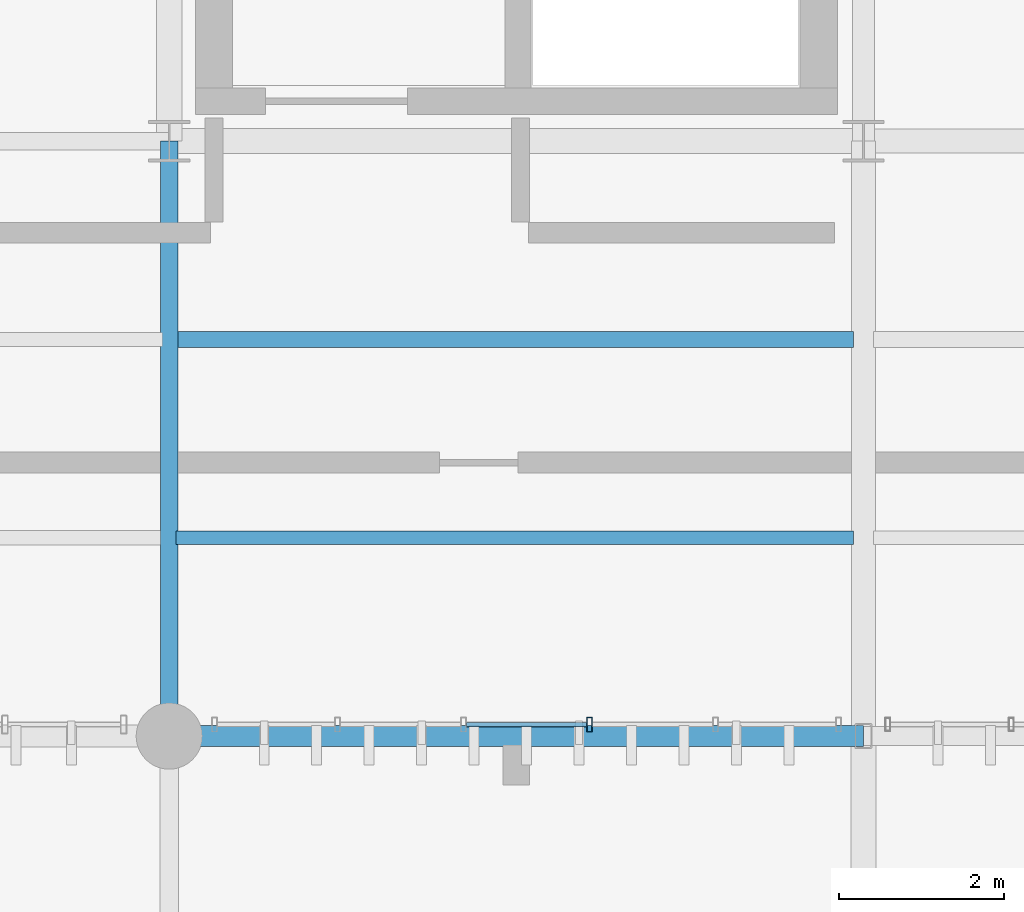
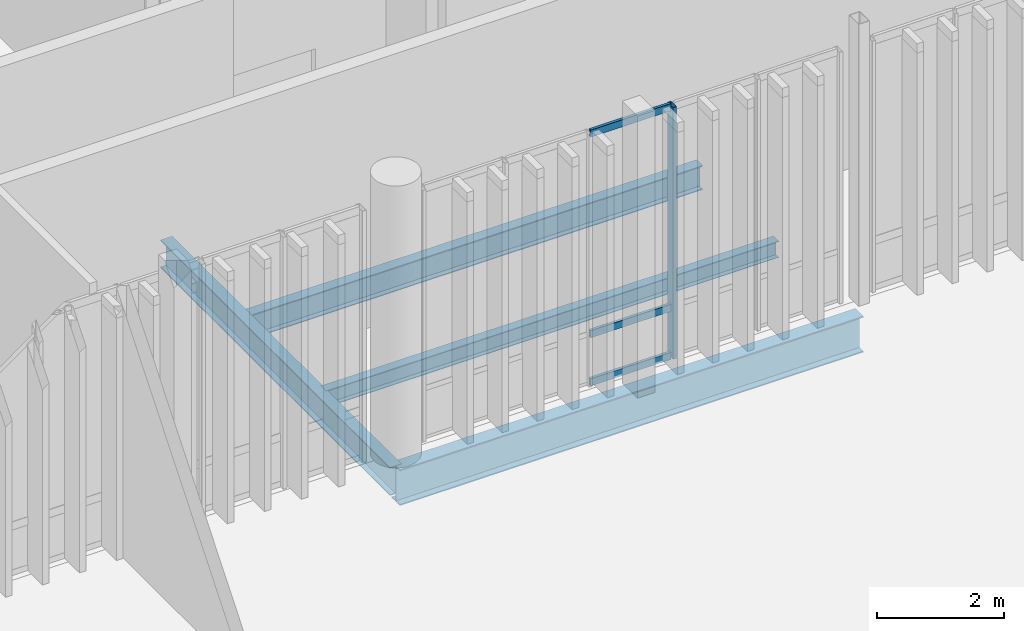
# One storey, part 45 of 112: 4 beams, 4 members, 1 element without a shape of its own.
"""IFC4 building model written with IfcOpenShell, lengths in metres."""

from ifc_helpers import new_model, si_unit, direction, frame, origin_with_axes, origin_2d_with_axis, place, context, subcontext, project, spatial, hollow_rectangle, i_section, extrude, material, material_profile, profile_set, type_object, element, aggregate, save


model = new_model("IFC4")

# Units and contexts
model_context = context("Model", 3, precision=1e-05, world=origin_with_axes(), true_north=direction((0.0, 1.0)))
body_context = subcontext(model_context, "Body", "Model", "MODEL_VIEW")
ifc_project = project(units=[si_unit("LENGTHUNIT", "METRE"), si_unit("AREAUNIT", "SQUARE_METRE"), si_unit("VOLUMEUNIT", "CUBIC_METRE"), si_unit("PLANEANGLEUNIT", "RADIAN"), si_unit("MASSUNIT", "GRAM", prefix="KILO"), si_unit("THERMODYNAMICTEMPERATUREUNIT", "KELVIN")], contexts=[model_context])

# Site, building, storey
site_placement = place(None, origin_with_axes())
site = spatial("IfcSite", under=ifc_project, at=site_placement, CompositionType="ELEMENT")
building_placement = place(site_placement, origin_with_axes())
building = spatial("IfcBuilding", under=site, at=building_placement, Name="Montbau Bow Law Courts", CompositionType="ELEMENT")
storey_placement = place(building_placement, origin_with_axes())
storey = spatial("IfcBuildingStorey", under=building, at=storey_placement, Name="L00", CompositionType="ELEMENT", Elevation=0.0)

# Beams
ifc_material_1 = material(Name="Steel CSA G40.21 Grade 350W (350 MPa)", Category="steel")
ifc_material_profile_1 = material_profile(ifc_material_1, i_section(OverallWidth=0.254, OverallDepth=0.688, WebThickness=0.0131, FlangeThickness=0.0211, at=origin_2d_with_axis()), Name="W690X152", Category="Main", Priority=0)
ifc_profile_set_1 = profile_set([ifc_material_profile_1], Name="Steel CSA G40.21 Grade 350W (350 MPa)")
beam_type_1 = type_object("IfcBeamType", Name="B-FLR-04", PredefinedType="BEAM", material=ifc_profile_set_1)
beam_1_placement = place(None, frame((80.4, 39.0, -0.584), z_axis=(1.0, 0.0, 0.0), x_axis=(0.0, 1.0, 0.0)))
element("IfcBeam", 1, at=beam_1_placement, inside=storey, type_object=beam_type_1, Name="BM-L00-S0192:bm2_0195", PredefinedType="BEAM", context=body_context, shape_type="SweptSolid", body=[
    extrude(i_section(OverallWidth=0.254, OverallDepth=0.688, WebThickness=0.0131, FlangeThickness=0.0211, at=origin_2d_with_axis()), origin_with_axes(), (0.0, 0.0, 1.0), 8.4),
])
ifc_material_profile_2 = material_profile(ifc_material_1, i_section(OverallWidth=0.21, OverallDepth=0.537, WebThickness=0.0109, FlangeThickness=0.0174, at=origin_2d_with_axis()), Name="W530X101", Category="Main", Priority=0)
ifc_profile_set_2 = profile_set([ifc_material_profile_2], Name="Steel CSA G40.21 Grade 350W (350 MPa)")
beam_type_2 = type_object("IfcBeamType", Name="B-FLR-06", PredefinedType="BEAM", material=ifc_profile_set_2)
beam_2_placement = place(None, frame((80.4, 39.0, -0.508), z_axis=(0.0, 1.0, 0.0), x_axis=(-1.0, 0.0, 0.0)))
element("IfcBeam", 2, at=beam_2_placement, inside=storey, type_object=beam_type_2, Name="BM-L00-S0297:bm2_0300", PredefinedType="BEAM", context=body_context, shape_type="SweptSolid", body=[
    extrude(i_section(OverallWidth=0.21, OverallDepth=0.537, WebThickness=0.0109, FlangeThickness=0.0174, at=origin_2d_with_axis()), origin_with_axes(), (0.0, 0.0, 1.0), 7.2),
])
ifc_material_profile_3 = material_profile(ifc_material_1, i_section(OverallWidth=0.191, OverallDepth=0.46, WebThickness=0.0099, FlangeThickness=0.016, at=origin_2d_with_axis()), Name="W460X82", Category="Main", Priority=0)
ifc_profile_set_3 = profile_set([ifc_material_profile_3], Name="Steel CSA G40.21 Grade 350W (350 MPa)")
beam_type_3 = type_object("IfcBeamType", Name="B-JST-01", PredefinedType="JOIST", material=ifc_profile_set_3)
beam_3_placement = place(None, frame((80.481, 43.8, -0.47), z_axis=(1.0, 0.0, 0.0), x_axis=(0.0, 1.0, 0.0)))
element("IfcBeam", 3, at=beam_3_placement, inside=storey, type_object=beam_type_3, Name="JST-L00-S0088:jst2_0088", PredefinedType="JOIST", context=body_context, shape_type="SweptSolid", body=[
    extrude(i_section(OverallWidth=0.191, OverallDepth=0.46, WebThickness=0.0099, FlangeThickness=0.016, at=origin_2d_with_axis()), origin_with_axes(), (0.0, 0.0, 1.0), 8.196),
])
ifc_material_profile_4 = material_profile(ifc_material_1, i_section(OverallWidth=0.166, OverallDepth=0.313, WebThickness=0.0066, FlangeThickness=0.0112, at=origin_2d_with_axis()), Name="W310X45", Category="Main", Priority=0)
ifc_profile_set_4 = profile_set([ifc_material_profile_4], Name="Steel CSA G40.21 Grade 350W (350 MPa)")
beam_type_4 = type_object("IfcBeamType", Name="B-JST-04", PredefinedType="JOIST", material=ifc_profile_set_4)
beam_4_placement = place(None, frame((80.481, 41.4, -0.396), z_axis=(1.0, 0.0, 0.0), x_axis=(0.0, 1.0, 0.0)))
element("IfcBeam", 4, at=beam_4_placement, inside=storey, type_object=beam_type_4, Name="JST-L00-S0087:jst2_0087", PredefinedType="JOIST", context=body_context, shape_type="SweptSolid", body=[
    extrude(i_section(OverallWidth=0.166, OverallDepth=0.313, WebThickness=0.0066, FlangeThickness=0.0112, at=origin_2d_with_axis()), origin_with_axes(), (0.0, 0.0, 1.0), 8.196),
])

# Curtain wall, members
ifc_material_2 = material(Name="Thermally Broken Extruded Aluminium AA 6063-T6", Category="aluminium")
curtain_wall_type = type_object("IfcCurtainWallType", Name="CW-CRM-01", PredefinedType="NOTDEFINED", material=ifc_material_2)
curtain_wall_placement = place(None, frame((80.915, 39.14, 0.0), z_axis=(0.0, 0.0, 1.0), x_axis=(1.0, 0.0, 0.0)))
curtain_wall = element("IfcCurtainWall", 5, at=curtain_wall_placement, inside=storey, type_object=curtain_wall_type, Name="CW-L00-127:cw_0127", PredefinedType="NOTDEFINED")
ifc_material_profile_5 = material_profile(ifc_material_2, hollow_rectangle(XDim=0.065, YDim=0.18, WallThickness=0.005, InnerFilletRadius=0.01, OuterFilletRadius=0.005, at=origin_2d_with_axis()), Name="CWM-180X65", Category="Main", Priority=0)
ifc_profile_set_5 = profile_set([ifc_material_profile_5], Name="Thermally Broken Extruded Aluminium AA 6063-T6")
member_type_1 = type_object("IfcMemberType", Name="M-MUL-02", PredefinedType="MULLION", material=ifc_profile_set_5)
member_1_placement = place(None, frame((85.485, 39.14, 0.0), z_axis=(0.0, 0.0, 1.0), x_axis=(1.0, 0.0, 0.0)))
member_1 = element("IfcMember", 6, at=member_1_placement, type_object=member_type_1, Name="CW-L00-127-M04:cw_0127_M04", PredefinedType="MULLION", context=body_context, shape_type="SweptSolid", body=[
    extrude(hollow_rectangle(XDim=0.065, YDim=0.18, WallThickness=0.005, InnerFilletRadius=0.01, OuterFilletRadius=0.005, at=origin_2d_with_axis()), origin_with_axes(), (0.0, 0.0, 1.0), 4.82),
])
ifc_material_profile_6 = material_profile(ifc_material_2, hollow_rectangle(XDim=0.055, YDim=0.14, WallThickness=0.004, InnerFilletRadius=0.008, OuterFilletRadius=0.004, at=origin_2d_with_axis()), Name="CWT-140X55", Category="Main", Priority=0)
ifc_profile_set_6 = profile_set([ifc_material_profile_6], Name="Thermally Broken Extruded Aluminium AA 6063-T6")
member_type_2 = type_object("IfcMemberType", Name="M-TRN-02", PredefinedType="USERDEFINED", material=ifc_profile_set_6)
member_2_placement = place(None, frame((83.997, 39.14, 0.028), z_axis=(1.0, 0.0, 0.0), x_axis=(0.0, 1.0, 0.0)))
member_2 = element("IfcMember", 7, at=member_2_placement, type_object=member_type_2, Name="CW-L00-127-T03-1:cw_0127_T03_1", ObjectType="TRANSOM", PredefinedType="USERDEFINED", context=body_context, shape_type="SweptSolid", body=[
    extrude(hollow_rectangle(XDim=0.055, YDim=0.14, WallThickness=0.004, InnerFilletRadius=0.008, OuterFilletRadius=0.004, at=origin_2d_with_axis()), origin_with_axes(), (0.0, 0.0, 1.0), 1.454),
])
member_3_placement = place(None, frame((83.997, 39.14, 0.95), z_axis=(1.0, 0.0, 0.0), x_axis=(0.0, 1.0, 0.0)))
member_3 = element("IfcMember", 8, at=member_3_placement, type_object=member_type_2, Name="CW-L00-127-T03-2:cw_0127_T03_2", ObjectType="TRANSOM", PredefinedType="USERDEFINED", context=body_context, shape_type="SweptSolid", body=[
    extrude(hollow_rectangle(XDim=0.055, YDim=0.14, WallThickness=0.004, InnerFilletRadius=0.008, OuterFilletRadius=0.004, at=origin_2d_with_axis()), origin_with_axes(), (0.0, 0.0, 1.0), 1.454),
])
member_4_placement = place(None, frame((83.997, 39.14, 4.793), z_axis=(1.0, 0.0, 0.0), x_axis=(0.0, 1.0, 0.0)))
member_4 = element("IfcMember", 9, at=member_4_placement, type_object=member_type_2, Name="CW-L00-127-T03-3:cw_0127_T03_3", ObjectType="TRANSOM", PredefinedType="USERDEFINED", context=body_context, shape_type="SweptSolid", body=[
    extrude(hollow_rectangle(XDim=0.055, YDim=0.14, WallThickness=0.004, InnerFilletRadius=0.008, OuterFilletRadius=0.004, at=origin_2d_with_axis()), origin_with_axes(), (0.0, 0.0, 1.0), 1.454),
])
aggregate(curtain_wall, [member_1, member_2, member_3, member_4])

save(model, "model.ifc")
